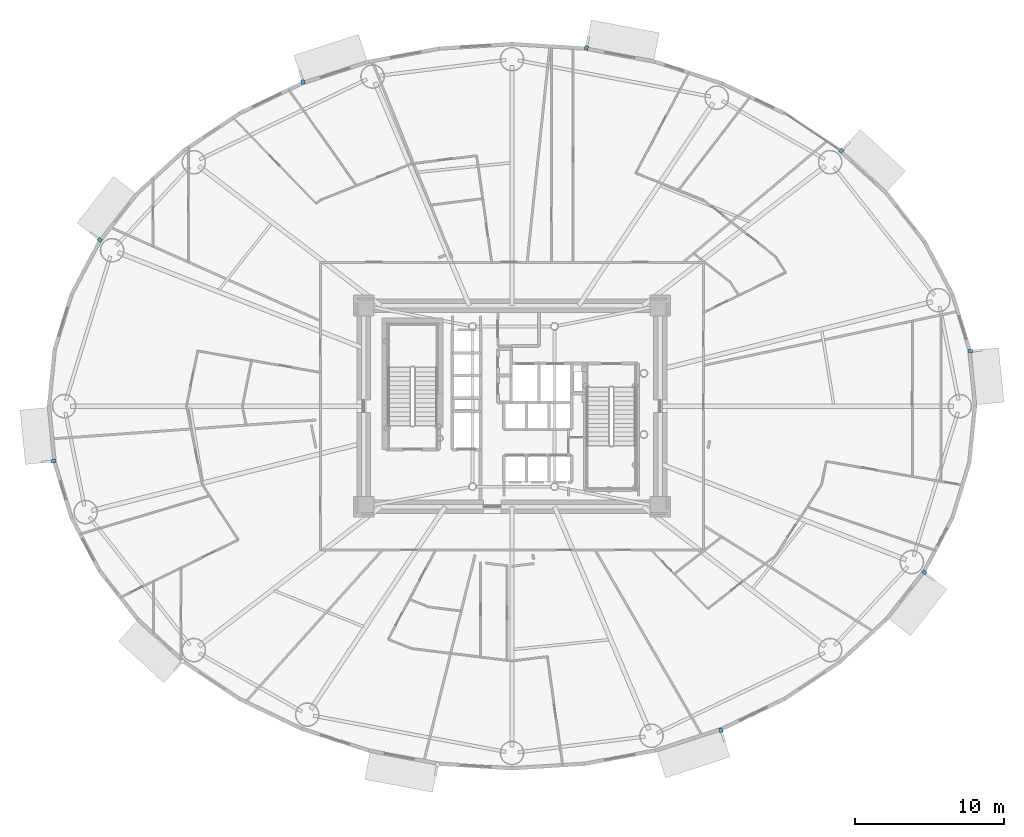
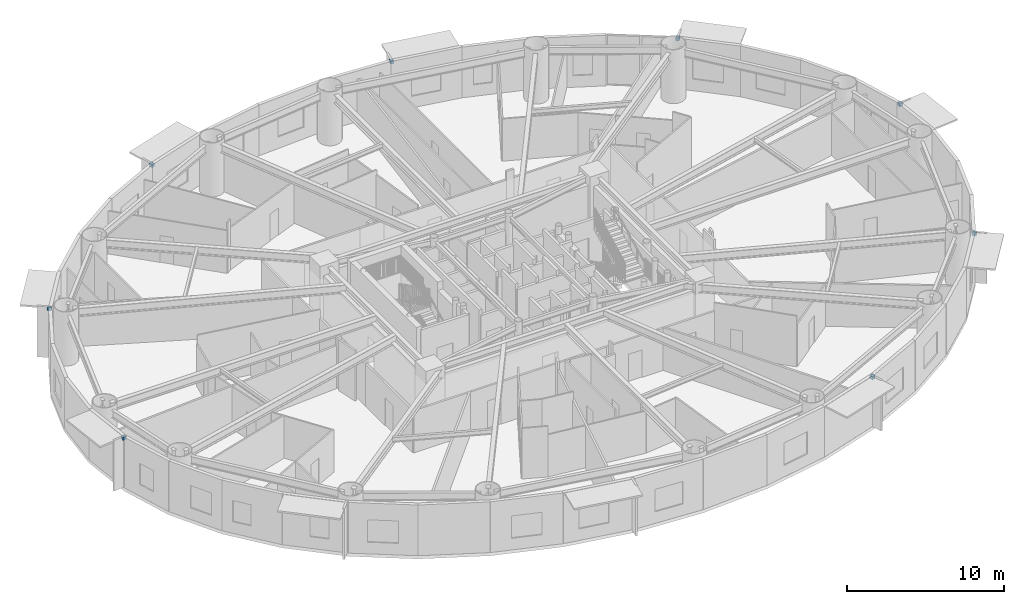
# One storey, part 13 of 20: 8 discrete accessories.
"""IFC4 building model written with IfcOpenShell, lengths in metres."""

from ifc_helpers import new_model, si_unit, direction, frame, origin, origin_2d, place, context, subcontext, project, spatial, rectangle, extrude, source, transform, mapped, material, type_object, element, save


model = new_model("IFC4")

# Units and contexts
model_context = context("Model", 3, precision=1e-05, world=origin(), true_north=direction((0.0, 1.0)))
body_context = subcontext(model_context, "Body", "Model", "MODEL_VIEW")
ifc_project = project(units=[si_unit("LENGTHUNIT", "METRE"), si_unit("AREAUNIT", "SQUARE_METRE"), si_unit("VOLUMEUNIT", "CUBIC_METRE"), si_unit("PLANEANGLEUNIT", "RADIAN"), si_unit("MASSUNIT", "GRAM", prefix="KILO")], contexts=[model_context])

# Site, building, storey
site_placement = place(None, origin())
site = spatial("IfcSite", under=ifc_project, at=site_placement, CompositionType="ELEMENT")
building_placement = place(site_placement, origin())
building = spatial("IfcBuilding", under=site, at=building_placement, Name="Linh Dai School and Residence Tower", CompositionType="ELEMENT")
storey_placement = place(building_placement, frame((0.0, 0.0, 66.0)))
storey = spatial("IfcBuildingStorey", under=building, at=storey_placement, Name="L15", CompositionType="ELEMENT", Elevation=66.0)

# Discrete accessories
ifc_material = material(Name="Structural Steel S355JR", Category="steel")
discrete_accessory_type = type_object("IfcDiscreteAccessoryType", Name="ACC-BRK-S355", PredefinedType="BRACKET", material=ifc_material)
shared_shape = source(origin(), body_context, "Body", "SweptSolid", [
    extrude(rectangle(XDim=0.280029296875, YDim=0.239990234375, at=origin_2d()), origin(), (0.0, 0.0, 1.0), 0.219970703125),
])
for number, where, z_axis, x_axis, name in (
    (1, (66.76513671875, 30.68359375, 3.7001953125), (0.0, 0.0, 1.0), (0.994986493533, 0.100009387998, 0.0), "L15 Facade Frame Anchor Bracket 01"),
    (2, (58.11376953125, 44.139404296875, 3.7001953125), (0.0, 0.0, 1.0), (0.675769237268, 0.737113246362, 0.0), "L15 Facade Frame Anchor Bracket 05"),
    (3, (40.994384765625, 51.0419921875, 3.7001953125), (0.0, 0.0, 1.0), (0.184747948944, 0.982785935675, 0.0), "L15 Facade Frame Anchor Bracket 09"),
    (4, (21.9775390625, 48.745361328125, 3.7001953125), (0.0, 0.0, 1.0), (-0.308510993844, 0.951220777043, 0.0), "L15 Facade Frame Anchor Bracket 13"),
    (5, (8.33203125, 38.154296875, 3.7001953125), (0.0, 0.0, 1.0), (-0.787496262172, 0.616319427785, 0.0), "L15 Facade Frame Anchor Bracket 17"),
    (6, (5.23486328125, 23.31640625, 3.7001953125), (0.0, 0.0, 1.0), (-0.994986493533, -0.100009387998, 0.0), "L15 Facade Frame Anchor Bracket 21"),
    (7, (50.0224609375, 5.254638671875, 3.7001953125), (0.0, 0.0, 1.0), (0.308510993844, -0.951220777043, 0.0), "L15 Facade Frame Anchor Bracket 33"),
    (8, (63.66796875, 15.845703125, 3.7001953125), (0.0, 0.0, 1.0), (0.787496262172, -0.616319427785, 0.0), "L15 Facade Frame Anchor Bracket 37"),
):
    element("IfcDiscreteAccessory", number, at=place(storey_placement, frame(where, z_axis=z_axis, x_axis=x_axis)), inside=storey, type_object=discrete_accessory_type, Name=name, PredefinedType="BRACKET", context=body_context, shape_type="MappedRepresentation", body=[
        mapped(shared_shape, transform((0.0, 0.0, 0.0), x_axis=(1.0, 0.0, 0.0), y_axis=(0.0, 1.0, 0.0), z_axis=(0.0, 0.0, 1.0), scale=1.0)),
    ])

save(model, "model.ifc")
